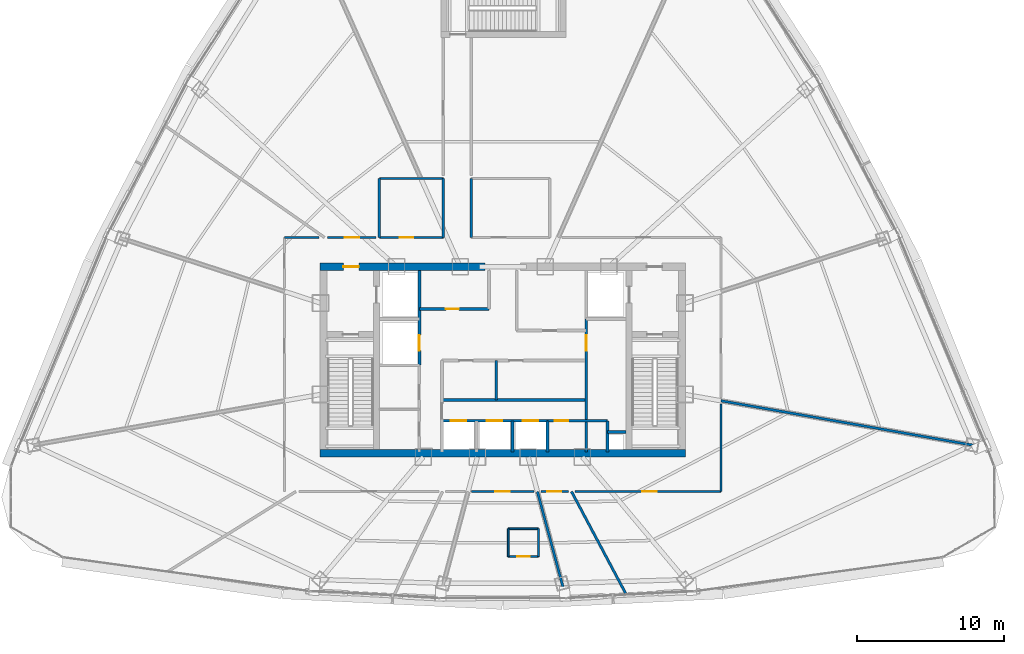
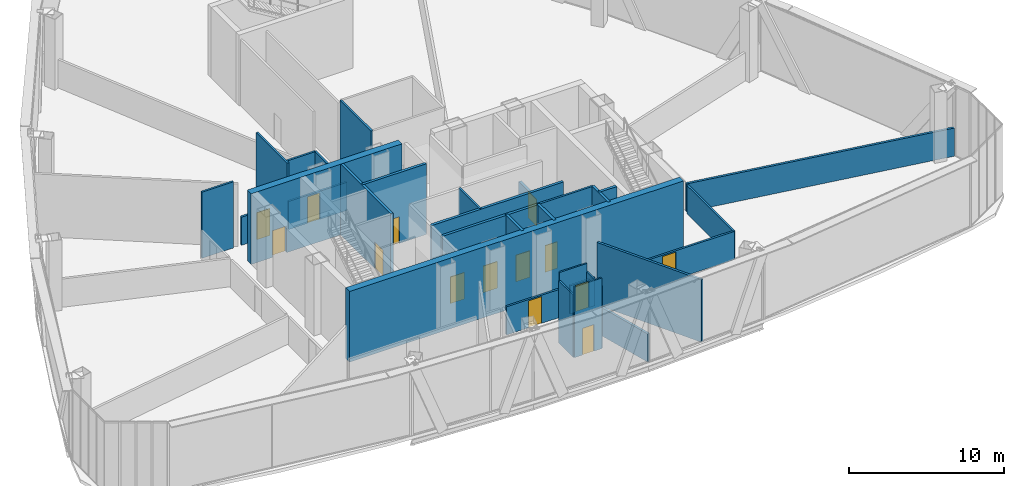
# One storey, part 32 of 38: 31 walls, 14 doors, 14 openings.
"""IFC4 building model written with IfcOpenShell, lengths in metres."""

from ifc_helpers import new_model, si_unit, direction, frame, frame_2d, origin, origin_with_axes, place, context, subcontext, project, spatial, rectangle, extrude, source, transform, mapped, material, layer, layer_set, type_object, element, fill, save


model = new_model("IFC4")

# Units and contexts
model_context = context("Model", 3, precision=1e-05, world=origin(), true_north=direction((0.0, 1.0)))
body_context = subcontext(model_context, "Body", "Model", "MODEL_VIEW")
ifc_project = project(units=[si_unit("LENGTHUNIT", "METRE"), si_unit("AREAUNIT", "SQUARE_METRE"), si_unit("VOLUMEUNIT", "CUBIC_METRE"), si_unit("PLANEANGLEUNIT", "RADIAN"), si_unit("MASSUNIT", "GRAM", prefix="KILO"), si_unit("THERMODYNAMICTEMPERATUREUNIT", "KELVIN"), si_unit("POWERUNIT", "WATT")], contexts=[model_context])

# Site, building, storey
site_placement = place(None, origin())
site = spatial("IfcSite", under=ifc_project, at=site_placement, CompositionType="ELEMENT")
building_placement = place(site_placement, origin())
building = spatial("IfcBuilding", under=site, at=building_placement, Name="Yunzhuo Pagoda Commons", CompositionType="ELEMENT")
storey_placement = place(building_placement, frame((0.0, 0.0, 266.909912109375)))
storey = spatial("IfcBuildingStorey", under=building, at=storey_placement, Name="L67", CompositionType="ELEMENT", Elevation=266.909912109375)

# Wall
ifc_material_1 = material(Name="Concrete C50", Category="concrete")
ifc_layer_1 = layer(ifc_material_1, 0.5)
ifc_layer_set_1 = layer_set([ifc_layer_1], Name="Concrete C50")
wall_type_1 = type_object("IfcWallType", Name="W-C03 Upper Core Shear Wall 500", PredefinedType="SHEAR", material=ifc_layer_set_1)
wall_1_placement = place(storey_placement, frame((35.550048828125, 27.5, 0.0), z_axis=(0.0, 0.0, 1.0), x_axis=(1.0, 0.0, 0.0)))
element("IfcWall", 1, at=wall_1_placement, inside=storey, type_object=wall_type_1, Name="L67 core shear wall S", PredefinedType="SHEAR", context=body_context, shape_type="SweptSolid", body=[
    extrude(rectangle(XDim=24.89990234375, YDim=0.5, at=frame_2d((12.449951171875, 0.0))), origin(), (0.0, 0.0, 1.0), 5.570068359375),
])

# Wall, opening, door
wall_2_placement = place(storey_placement, frame((35.550048828125, 40.199951171875, 0.0), z_axis=(0.0, 0.0, 1.0), x_axis=(1.0, 0.0, 0.0)))
wall_2 = element("IfcWall", 2, at=wall_2_placement, inside=storey, type_object=wall_type_1, Name="L67 core shear wall NW", PredefinedType="SHEAR", context=body_context, shape_type="SweptSolid", body=[
    extrude(rectangle(XDim=11.25, YDim=0.5, at=frame_2d((5.625, 0.0))), origin(), (0.0, 0.0, 1.0), 5.570068359375),
])
opening_1_placement = place(wall_2_placement, frame((1.60009765625, 0.0, 0.0)))
opening_1 = element("IfcOpeningElement", 3, at=opening_1_placement, cuts=wall_2, Name="Opening D-02", PredefinedType="OPENING", context=body_context, shape_type="SweptSolid", body=[
    extrude(rectangle(XDim=1.050048828125, YDim=2.10009765625, at=frame_2d((0.52490234375, 1.050048828125))), frame((0.0, 0.260009765625, 0.0), z_axis=(0.0, -1.0, 0.0), x_axis=(1.0, 0.0, 0.0)), (0.0, 0.0, 1.0), 0.52001953125),
])
ifc_material_2 = material(Name="Galvanized fire-resisting metal leaf")
door_type_1 = type_object("IfcDoorType", Name="D-02 Firefighting Lobby & Refuge Fire Door 1050x2100", OperationType="NOTDEFINED", PredefinedType="DOOR", material=ifc_material_2)
shared_shape_1 = source(origin(), body_context, "Body", "SweptSolid", [
    extrude(rectangle(XDim=1.050048828125, YDim=2.10009765625, at=frame_2d((0.52490234375, 1.050048828125))), frame((0.0, 0.02490234375, 0.0), z_axis=(0.0, -1.0, 0.0), x_axis=(1.0, 0.0, 0.0)), (0.0, 0.0, 1.0), 0.050048828125),
])
door_1_placement = place(opening_1_placement, frame((1.050048828125, 0.0, 0.0), z_axis=(0.0, 0.0, 1.0), x_axis=(-1.0, 0.0, 0.0)))
door_1 = element("IfcDoor", 4, at=door_1_placement, inside=storey, type_object=door_type_1, Name="L67 Firefighting Lobby 1 fire door", OperationType="SINGLE_SWING_LEFT", OverallHeight=2.10009765625, OverallWidth=1.050048828125, PredefinedType="DOOR", context=body_context, shape_type="MappedRepresentation", body=[
    mapped(shared_shape_1, transform((0.0, 0.0, 0.0), scale=1.0)),
])
fill(opening_1, door_1)

# Wall
ifc_material_3 = material(Name="Gypsum plasterboard on acoustic stud")
ifc_layer_2 = layer(ifc_material_3, 0.14990234375)
ifc_layer_set_2 = layer_set([ifc_layer_2], Name="Gypsum plasterboard on acoustic stud")
wall_type_2 = type_object("IfcWallType", Name="W-COR3 High-Zone Rated Corridor Wall 150", PredefinedType="PARTITIONING", material=ifc_layer_set_2)
wall_3_placement = place(storey_placement, frame((47.550048828125, 31.1201171875, 0.0), z_axis=(0.0, 0.0, 1.0), x_axis=(0.0, 1.0, 0.0)))
element("IfcWall", 5, at=wall_3_placement, inside=storey, type_object=wall_type_2, Name="L67 interior wall IW-L67-FRMD", PredefinedType="PARTITIONING", context=body_context, shape_type="SweptSolid", body=[
    extrude(rectangle(XDim=2.699951171875, YDim=0.14990234375, at=frame_2d((1.35009765625, 0.0))), origin(), (0.0, 0.0, 1.0), 5.570068359375),
])

# Wall, opening, door
wall_4_placement = place(storey_placement, frame((51.050048828125, 29.719970703125, 0.0), z_axis=(0.0, 0.0, 1.0), x_axis=(1.0, 0.0, 0.0)))
wall_4 = element("IfcWall", 6, at=wall_4_placement, inside=storey, type_object=wall_type_2, Name="L67 interior wall IW-L67-CSES", PredefinedType="PARTITIONING", context=body_context, shape_type="SweptSolid", body=[
    extrude(rectangle(XDim=4.070068359375, YDim=0.14990234375, at=frame_2d((2.03515625, 0.0))), origin(), (0.0, 0.0, 1.0), 5.570068359375),
])
opening_2_placement = place(wall_4_placement, frame((0.5, 0.0, 0.0)))
opening_2 = element("IfcOpeningElement", 7, at=opening_2_placement, cuts=wall_4, Name="Opening D-03", PredefinedType="OPENING", context=body_context, shape_type="SweptSolid", body=[
    extrude(rectangle(XDim=0.89990234375, YDim=2.10009765625, at=frame_2d((0.449951171875, 1.050048828125))), frame((0.0, 0.0849609375, 0.0), z_axis=(0.0, -1.0, 0.0), x_axis=(1.0, 0.0, 0.0)), (0.0, 0.0, 1.0), 0.169921875),
])
door_type_2 = type_object("IfcDoorType", Name="D-03 Core Service Fire Door 900x2100", OperationType="NOTDEFINED", PredefinedType="DOOR", material=ifc_material_2)
shared_shape_2 = source(origin(), body_context, "Body", "SweptSolid", [
    extrude(rectangle(XDim=0.89990234375, YDim=2.10009765625, at=frame_2d((0.449951171875, 1.050048828125))), frame((0.0, 0.02490234375, 0.0), z_axis=(0.0, -1.0, 0.0), x_axis=(1.0, 0.0, 0.0)), (0.0, 0.0, 1.0), 0.050048828125),
])
door_2_placement = place(opening_2_placement, origin_with_axes())
door_2 = element("IfcDoor", 8, at=door_2_placement, inside=storey, type_object=door_type_2, Name="L67 IT closet door", OperationType="SINGLE_SWING_LEFT", OverallHeight=2.10009765625, OverallWidth=0.89990234375, PredefinedType="DOOR", context=body_context, shape_type="MappedRepresentation", body=[
    mapped(shared_shape_2, transform((0.0, 0.0, 0.0), scale=1.0)),
])
fill(opening_2, door_2)

wall_5_placement = place(storey_placement, frame((39.60009765625, 42.199951171875, 0.0), z_axis=(0.0, 0.0, 1.0), x_axis=(1.0, 0.0, 0.0)))
wall_5 = element("IfcWall", 9, at=wall_5_placement, inside=storey, type_object=wall_type_2, Name="L67 interior wall IW-L67-TFWS", PredefinedType="PARTITIONING", context=body_context, shape_type="SweptSolid", body=[
    extrude(rectangle(XDim=4.349853515625, YDim=0.14990234375, at=frame_2d((2.1748046875, 0.0))), origin(), (0.0, 0.0, 1.0), 2.219970703125),
])
opening_3_placement = place(wall_5_placement, frame((1.39990234375, 0.0, 0.0)))
opening_3 = element("IfcOpeningElement", 10, at=opening_3_placement, cuts=wall_5, Name="Opening D-04", PredefinedType="OPENING", context=body_context, shape_type="SweptSolid", body=[
    extrude(rectangle(XDim=0.919921875, YDim=2.10009765625, at=frame_2d((0.4599609375, 1.050048828125))), frame((0.0, 0.0849609375, 0.0), z_axis=(0.0, -1.0, 0.0), x_axis=(1.0, 0.0, 0.0)), (0.0, 0.0, 1.0), 0.169921875),
])
ifc_material_4 = material(Name="Powder-coated aluminium and timber acoustic leaf", Category="wood")
door_type_3 = type_object("IfcDoorType", Name="D-04 Bedroom & Study Interior Door 920x2100", OperationType="NOTDEFINED", PredefinedType="DOOR", material=ifc_material_4)
shared_shape_3 = source(origin(), body_context, "Body", "SweptSolid", [
    extrude(rectangle(XDim=0.919921875, YDim=2.10009765625, at=frame_2d((0.4599609375, 1.050048828125))), frame((0.0, 0.02490234375, 0.0), z_axis=(0.0, -1.0, 0.0), x_axis=(1.0, 0.0, 0.0)), (0.0, 0.0, 1.0), 0.050048828125),
])
door_3_placement = place(opening_3_placement, frame((0.919921875, 0.0, 0.0), z_axis=(0.0, 0.0, 1.0), x_axis=(-1.0, 0.0, 0.0)))
door_3 = element("IfcDoor", 11, at=door_3_placement, inside=storey, type_object=door_type_3, Name="L67 laundry door", OperationType="SINGLE_SWING_LEFT", OverallHeight=2.10009765625, OverallWidth=0.919921875, PredefinedType="DOOR", context=body_context, shape_type="MappedRepresentation", body=[
    mapped(shared_shape_3, transform((0.0, 0.0, 0.0), scale=1.0)),
])
fill(opening_3, door_3)

# Walls
wall_6_placement = place(storey_placement, frame((39.60009765625, 46.199951171875, 0.0), z_axis=(0.0, 0.0, 1.0), x_axis=(1.0, 0.0, 0.0)))
element("IfcWall", 12, at=wall_6_placement, inside=storey, type_object=wall_type_2, Name="L67 interior wall IW-L67-TFWN", PredefinedType="PARTITIONING", context=body_context, shape_type="SweptSolid", body=[
    extrude(rectangle(XDim=4.349853515625, YDim=0.14990234375, at=frame_2d((2.1748046875, 0.0))), origin(), (0.0, 0.0, 1.0), 2.219970703125),
])
wall_7_placement = place(storey_placement, frame((39.60009765625, 42.199951171875, 0.0), z_axis=(0.0, 0.0, 1.0), x_axis=(0.0, 1.0, 0.0)))
element("IfcWall", 13, at=wall_7_placement, inside=storey, type_object=wall_type_2, Name="L67 interior wall IW-L67-TFWW", PredefinedType="PARTITIONING", context=body_context, shape_type="SweptSolid", body=[
    extrude(rectangle(XDim=4.0, YDim=0.14990234375, at=frame_2d((2.0, 0.0))), origin(), (0.0, 0.0, 1.0), 5.219970703125),
])
wall_8_placement = place(storey_placement, frame((43.949951171875, 42.199951171875, 0.0), z_axis=(0.0, 0.0, 1.0), x_axis=(0.0, 1.0, 0.0)))
element("IfcWall", 14, at=wall_8_placement, inside=storey, type_object=wall_type_2, Name="L67 interior wall IW-L67-TFWE", PredefinedType="PARTITIONING", context=body_context, shape_type="SweptSolid", body=[
    extrude(rectangle(XDim=4.0, YDim=0.14990234375, at=frame_2d((2.0, 0.0))), origin(), (0.0, 0.0, 1.0), 2.219970703125),
])
wall_9_placement = place(storey_placement, frame((45.85009765625, 42.199951171875, 0.0), z_axis=(0.0, 0.0, 1.0), x_axis=(0.0, 1.0, 0.0)))
element("IfcWall", 15, at=wall_9_placement, inside=storey, type_object=wall_type_2, Name="L67 interior wall IW-L67-TFEW", PredefinedType="PARTITIONING", context=body_context, shape_type="SweptSolid", body=[
    extrude(rectangle(XDim=4.0, YDim=0.14990234375, at=frame_2d((2.0, 0.0))), origin(), (0.0, 0.0, 1.0), 5.570068359375),
])
wall_10_placement = place(storey_placement, frame((33.14990234375, 42.199951171875, 0.0), z_axis=(0.0, 0.0, 1.0), x_axis=(1.0, 0.0, 0.0)))
element("IfcWall", 16, at=wall_10_placement, inside=storey, type_object=wall_type_2, Name="L67 interior wall IW-L67-CWL04", PredefinedType="PARTITIONING", context=body_context, shape_type="SweptSolid", body=[
    extrude(rectangle(XDim=2.3271484375, YDim=0.14990234375, at=frame_2d((1.16357421875, 0.0))), origin(), (0.0, 0.0, 1.0), 5.219970703125),
])

# Wall, opening, door
wall_11_placement = place(storey_placement, frame((36.08056640625, 42.199951171875, 0.0), z_axis=(0.0, 0.0, 1.0), x_axis=(1.0, 0.0, 0.0)))
wall_11 = element("IfcWall", 17, at=wall_11_placement, inside=storey, type_object=wall_type_2, Name="L67 interior wall IW-L67-CWL05", PredefinedType="PARTITIONING", context=body_context, shape_type="SweptSolid", body=[
    extrude(rectangle(XDim=3.29931640625, YDim=0.14990234375, at=frame_2d((1.649658203125, 0.0))), origin(), (0.0, 0.0, 1.0), 2.219970703125),
])
opening_4_placement = place(wall_11_placement, frame((1.1748046875, 0.0, 0.0)))
opening_4 = element("IfcOpeningElement", 18, at=opening_4_placement, cuts=wall_11, Name="Opening D-08", PredefinedType="OPENING", context=body_context, shape_type="SweptSolid", body=[
    extrude(rectangle(XDim=0.97998046875, YDim=2.1201171875, at=frame_2d((0.489990234375, 1.06005859375))), frame((0.0, 0.0849609375, 0.0), z_axis=(0.0, -1.0, 0.0), x_axis=(1.0, 0.0, 0.0)), (0.0, 0.0, 1.0), 0.169921875),
])
door_type_4 = type_object("IfcDoorType", Name="D-08 High-Zone Suite Entrance Fire Door 980x2120", OperationType="NOTDEFINED", PredefinedType="DOOR", material=ifc_material_2)
shared_shape_4 = source(origin(), body_context, "Body", "SweptSolid", [
    extrude(rectangle(XDim=0.97998046875, YDim=2.1201171875, at=frame_2d((0.489990234375, 1.06005859375))), frame((0.0, 0.02490234375, 0.0), z_axis=(0.0, -1.0, 0.0), x_axis=(1.0, 0.0, 0.0)), (0.0, 0.0, 1.0), 0.050048828125),
])
door_4_placement = place(opening_4_placement, origin_with_axes())
door_4 = element("IfcDoor", 19, at=door_4_placement, inside=storey, type_object=door_type_4, Name="L67 Resident Co-Living Commons Hall door", OperationType="SINGLE_SWING_LEFT", OverallHeight=2.1201171875, OverallWidth=0.97998046875, PredefinedType="DOOR", context=body_context, shape_type="MappedRepresentation", body=[
    mapped(shared_shape_4, transform((0.0, 0.0, 0.0), scale=1.0)),
])
fill(opening_4, door_4)

# Wall
wall_12_placement = place(storey_placement, frame((62.85009765625, 30.858154296875, 0.0), z_axis=(0.0, 0.0, 1.0), x_axis=(0.0, -1.0, 0.0)))
element("IfcWall", 20, at=wall_12_placement, inside=storey, type_object=wall_type_2, Name="L67 interior wall IW-L67-CWL11", PredefinedType="PARTITIONING", context=body_context, shape_type="SweptSolid", body=[
    extrude(rectangle(XDim=5.958251953125, YDim=0.14990234375, at=frame_2d((2.97900390625, 0.0))), origin(), (0.0, 0.0, 1.0), 2.219970703125),
])

# Wall, opening, door
wall_13_placement = place(storey_placement, frame((62.85009765625, 24.89990234375, 0.0), z_axis=(0.0, 0.0, 1.0), x_axis=(-1.0, 0.0, 0.0)))
wall_13 = element("IfcWall", 21, at=wall_13_placement, inside=storey, type_object=wall_type_2, Name="L67 interior wall IW-L67-CWL12", PredefinedType="PARTITIONING", context=body_context, shape_type="SweptSolid", body=[
    extrude(rectangle(XDim=9.921875, YDim=0.14990234375, at=frame_2d((4.9609375, 0.0))), origin(), (0.0, 0.0, 1.0), 2.219970703125),
])
opening_5_placement = place(wall_13_placement, frame((4.380615234375, 0.0, 0.0)))
opening_5 = element("IfcOpeningElement", 22, at=opening_5_placement, cuts=wall_13, Name="Opening D-08", PredefinedType="OPENING", context=body_context, shape_type="SweptSolid", body=[
    extrude(rectangle(XDim=0.97998046875, YDim=2.1201171875, at=frame_2d((0.489990234375, 1.06005859375))), frame((0.0, 0.0849609375, 0.0), z_axis=(0.0, -1.0, 0.0), x_axis=(1.0, 0.0, 0.0)), (0.0, 0.0, 1.0), 0.169921875),
])
door_5_placement = place(opening_5_placement, origin_with_axes())
door_5 = element("IfcDoor", 23, at=door_5_placement, inside=storey, type_object=door_type_4, Name="L67 Academic Reading Commons 3 door", OperationType="SINGLE_SWING_LEFT", OverallHeight=2.1201171875, OverallWidth=0.97998046875, PredefinedType="DOOR", context=body_context, shape_type="MappedRepresentation", body=[
    mapped(shared_shape_4, transform((0.0, 0.0, 0.0), scale=1.0)),
])
fill(opening_5, door_5)

wall_14_placement = place(storey_placement, frame((52.458984375, 24.89990234375, 0.0), z_axis=(0.0, 0.0, 1.0), x_axis=(-1.0, 0.0, 0.0)))
wall_14 = element("IfcWall", 24, at=wall_14_placement, inside=storey, type_object=wall_type_2, Name="L67 interior wall IW-L67-CWL13", PredefinedType="PARTITIONING", context=body_context, shape_type="SweptSolid", body=[
    extrude(rectangle(XDim=1.873291015625, YDim=0.14990234375, at=frame_2d((0.9365234375, 0.0))), origin(), (0.0, 0.0, 1.0), 2.219970703125),
])
opening_6_placement = place(wall_14_placement, frame((0.465576171875, 0.0, 0.0)))
opening_6 = element("IfcOpeningElement", 25, at=opening_6_placement, cuts=wall_14, Name="Opening D-08", PredefinedType="OPENING", context=body_context, shape_type="SweptSolid", body=[
    extrude(rectangle(XDim=0.97998046875, YDim=2.1201171875, at=frame_2d((0.489990234375, 1.06005859375))), frame((0.0, 0.0849609375, 0.0), z_axis=(0.0, -1.0, 0.0), x_axis=(1.0, 0.0, 0.0)), (0.0, 0.0, 1.0), 0.169921875),
])
door_6_placement = place(opening_6_placement, origin_with_axes())
door_6 = element("IfcDoor", 26, at=door_6_placement, inside=storey, type_object=door_type_4, Name="L67 unit 11 entrance door", OperationType="SINGLE_SWING_RIGHT", OverallHeight=2.1201171875, OverallWidth=0.97998046875, PredefinedType="DOOR", context=body_context, shape_type="MappedRepresentation", body=[
    mapped(shared_shape_4, transform((0.0, 0.0, 0.0), scale=1.0)),
])
fill(opening_6, door_6)

wall_15_placement = place(storey_placement, frame((50.13818359375, 24.89990234375, 0.0), z_axis=(0.0, 0.0, 1.0), x_axis=(-1.0, 0.0, 0.0)))
wall_15 = element("IfcWall", 27, at=wall_15_placement, inside=storey, type_object=wall_type_2, Name="L67 interior wall IW-L67-CWL14", PredefinedType="PARTITIONING", context=body_context, shape_type="SweptSolid", body=[
    extrude(rectangle(XDim=4.2763671875, YDim=0.14990234375, at=frame_2d((2.13818359375, 0.0))), origin(), (0.0, 0.0, 1.0), 2.219970703125),
])
opening_7_placement = place(wall_15_placement, frame((1.6630859375, 0.0, 0.0)))
opening_7 = element("IfcOpeningElement", 28, at=opening_7_placement, cuts=wall_15, Name="Opening D-08", PredefinedType="OPENING", context=body_context, shape_type="SweptSolid", body=[
    extrude(rectangle(XDim=0.97998046875, YDim=2.1201171875, at=frame_2d((0.489990234375, 1.06005859375))), frame((0.0, 0.0849609375, 0.0), z_axis=(0.0, -1.0, 0.0), x_axis=(1.0, 0.0, 0.0)), (0.0, 0.0, 1.0), 0.169921875),
])
door_7_placement = place(opening_7_placement, origin_with_axes())
door_7 = element("IfcDoor", 29, at=door_7_placement, inside=storey, type_object=door_type_4, Name="L67 unit 10 entrance door", OperationType="SINGLE_SWING_LEFT", OverallHeight=2.1201171875, OverallWidth=0.97998046875, PredefinedType="DOOR", context=body_context, shape_type="MappedRepresentation", body=[
    mapped(shared_shape_4, transform((0.0, 0.0, 0.0), scale=1.0)),
])
fill(opening_7, door_7)

ifc_layer_3 = layer(ifc_material_3, 0.1201171875)
ifc_layer_set_3 = layer_set([ifc_layer_3], Name="Gypsum plasterboard on acoustic stud")
wall_type_3 = type_object("IfcWallType", Name="W-PRT1 Suite & Bathroom Partition 120", PredefinedType="PARTITIONING", material=ifc_layer_set_3)
wall_16_placement = place(storey_placement, frame((48.3740234375, 20.47900390625, 0.0), z_axis=(0.0, 0.0, 1.0), x_axis=(1.0, 0.0, 0.0)))
wall_16 = element("IfcWall", 30, at=wall_16_placement, inside=storey, type_object=wall_type_3, Name="L67 interior wall IW-L67-B10S", PredefinedType="PARTITIONING", context=body_context, shape_type="SweptSolid", body=[
    extrude(rectangle(XDim=2.050048828125, YDim=0.1201171875, at=frame_2d((1.02490234375, 0.0))), origin(), (0.0, 0.0, 1.0), 5.570068359375),
])
opening_8_placement = place(wall_16_placement, frame((0.60009765625, 0.0, 0.0)))
opening_8 = element("IfcOpeningElement", 31, at=opening_8_placement, cuts=wall_16, Name="Opening D-05", PredefinedType="OPENING", context=body_context, shape_type="SweptSolid", body=[
    extrude(rectangle(XDim=0.85009765625, YDim=2.10009765625, at=frame_2d((0.425048828125, 1.050048828125))), frame((0.0, 0.070068359375, 0.0), z_axis=(0.0, -1.0, 0.0), x_axis=(1.0, 0.0, 0.0)), (0.0, 0.0, 1.0), 0.14013671875),
])
door_type_5 = type_object("IfcDoorType", Name="D-05 En-Suite Bathroom Door 850x2100", OperationType="NOTDEFINED", PredefinedType="DOOR", material=ifc_material_4)
shared_shape_5 = source(origin(), body_context, "Body", "SweptSolid", [
    extrude(rectangle(XDim=0.85009765625, YDim=2.10009765625, at=frame_2d((0.425048828125, 1.050048828125))), frame((0.0, 0.02490234375, 0.0), z_axis=(0.0, -1.0, 0.0), x_axis=(1.0, 0.0, 0.0)), (0.0, 0.0, 1.0), 0.050048828125),
])
door_8_placement = place(opening_8_placement, frame((0.85009765625, 0.0, 0.0), z_axis=(0.0, 0.0, 1.0), x_axis=(-1.0, 0.0, 0.0)))
door_8 = element("IfcDoor", 32, at=door_8_placement, inside=storey, type_object=door_type_5, Name="L67 unit 10 bathroom door", OperationType="SINGLE_SWING_LEFT", OverallHeight=2.10009765625, OverallWidth=0.85009765625, PredefinedType="DOOR", context=body_context, shape_type="MappedRepresentation", body=[
    mapped(shared_shape_5, transform((0.0, 0.0, 0.0), scale=1.0)),
])
fill(opening_8, door_8)

# Walls
wall_17_placement = place(storey_placement, frame((50.424072265625, 20.47900390625, 0.0), z_axis=(0.0, 0.0, 1.0), x_axis=(0.0, 1.0, 0.0)))
element("IfcWall", 33, at=wall_17_placement, inside=storey, type_object=wall_type_3, Name="L67 interior wall IW-L67-B10E", PredefinedType="PARTITIONING", context=body_context, shape_type="SweptSolid", body=[
    extrude(rectangle(XDim=1.89990234375, YDim=0.1201171875, at=frame_2d((0.949951171875, 0.0))), origin(), (0.0, 0.0, 1.0), 4.920166015625),
])
wall_18_placement = place(storey_placement, frame((50.424072265625, 22.37890625, 0.0), z_axis=(0.0, 0.0, 1.0), x_axis=(-1.0, 0.0, 0.0)))
element("IfcWall", 34, at=wall_18_placement, inside=storey, type_object=wall_type_3, Name="L67 interior wall IW-L67-B10N", PredefinedType="PARTITIONING", context=body_context, shape_type="SweptSolid", body=[
    extrude(rectangle(XDim=2.050048828125, YDim=0.1201171875, at=frame_2d((1.02490234375, 0.0))), origin(), (0.0, 0.0, 1.0), 5.570068359375),
])
wall_19_placement = place(storey_placement, frame((48.3740234375, 22.37890625, 0.0), z_axis=(0.0, 0.0, 1.0), x_axis=(0.0, -1.0, 0.0)))
element("IfcWall", 35, at=wall_19_placement, inside=storey, type_object=wall_type_3, Name="L67 interior wall IW-L67-B10W", PredefinedType="PARTITIONING", context=body_context, shape_type="SweptSolid", body=[
    extrude(rectangle(XDim=1.89990234375, YDim=0.1201171875, at=frame_2d((0.949951171875, 0.0))), origin(), (0.0, 0.0, 1.0), 4.920166015625),
])
ifc_layer_4 = layer(ifc_material_3, 0.169921875)
ifc_layer_set_4 = layer_set([ifc_layer_4], Name="Gypsum plasterboard on acoustic stud")
wall_type_4 = type_object("IfcWallType", Name="W-PRT4 High-Zone Demising Wall 170", PredefinedType="PARTITIONING", material=ifc_layer_set_4)
wall_20_placement = place(storey_placement, frame((50.35791015625, 24.89990234375, 0.0), z_axis=(0.0, 0.0, 1.0), x_axis=(0.258810769147, -0.965928043787, 0.0)))
element("IfcWall", 36, at=wall_20_placement, inside=storey, type_object=wall_type_4, Name="L67 interior wall IW-L67-RAD10", PredefinedType="PARTITIONING", context=body_context, shape_type="SweptSolid", body=[
    extrude(rectangle(XDim=7.516357421875, YDim=0.169921875, at=frame_2d((3.75830078125, 0.0))), origin(), (0.0, 0.0, 1.0), 2.219970703125),
])
wall_21_placement = place(storey_placement, frame((52.678955078125, 24.89990234375, 0.0), z_axis=(0.0, 0.0, 1.0), x_axis=(0.469475347358, -0.882945580556, 0.0)))
element("IfcWall", 37, at=wall_21_placement, inside=storey, type_object=wall_type_4, Name="L67 interior wall IW-L67-RAD11", PredefinedType="PARTITIONING", context=body_context, shape_type="SweptSolid", body=[
    extrude(rectangle(XDim=7.97314453125, YDim=0.169921875, at=frame_2d((3.986572265625, 0.0))), origin(), (0.0, 0.0, 1.0), 4.920166015625),
])
wall_22_placement = place(storey_placement, frame((62.85009765625, 31.08154296875, 0.0), z_axis=(0.0, 0.0, 1.0), x_axis=(0.984806394916, -0.173655879639, 0.0)))
element("IfcWall", 38, at=wall_22_placement, inside=storey, type_object=wall_type_4, Name="L67 interior wall IW-L67-RAD12", PredefinedType="PARTITIONING", context=body_context, shape_type="SweptSolid", body=[
    extrude(rectangle(XDim=18.3974609375, YDim=0.169921875, at=frame_2d((9.19873046875, 0.0))), origin(), (0.0, 0.0, 1.0), 2.219970703125),
])

# Wall, opening, door
ifc_material_5 = material(Name="Concrete C40", Category="concrete")
ifc_layer_5 = layer(ifc_material_5, 0.199951171875)
ifc_layer_set_5 = layer_set([ifc_layer_5], Name="Concrete C40")
wall_type_5 = type_object("IfcWallType", Name="W-SHF Shaft & Stair Enclosure Wall 200", PredefinedType="SOLIDWALL", material=ifc_layer_set_5)
wall_23_placement = place(storey_placement, frame((42.320068359375, 33.5, 0.0), z_axis=(0.0, 0.0, 1.0), x_axis=(0.0, 1.0, 0.0)))
wall_23 = element("IfcWall", 39, at=wall_23_placement, inside=storey, type_object=wall_type_5, Name="L67 interior wall IW-L67-FL1E", PredefinedType="SOLIDWALL", context=body_context, shape_type="SweptSolid", body=[
    extrude(rectangle(XDim=6.449951171875, YDim=0.199951171875, at=frame_2d((3.22509765625, 0.0))), origin(), (0.0, 0.0, 1.0), 5.570068359375),
])
opening_9_placement = place(wall_23_placement, frame((1.0, 0.0, 0.0)))
opening_9 = element("IfcOpeningElement", 40, at=opening_9_placement, cuts=wall_23, Name="Opening LD-02", PredefinedType="OPENING", context=body_context, shape_type="SweptSolid", body=[
    extrude(rectangle(XDim=1.050048828125, YDim=2.10009765625, at=frame_2d((0.52490234375, 1.050048828125))), frame((0.0, 0.10986328125, 0.0), z_axis=(0.0, -1.0, 0.0), x_axis=(1.0, 0.0, 0.0)), (0.0, 0.0, 1.0), 0.219970703125),
])
door_type_6 = type_object("IfcDoorType", Name="LD-02 Passenger Lift Landing Door 1050x2100", OperationType="DOUBLE_DOOR_SLIDING", PredefinedType="DOOR", material=ifc_material_2)
door_9_placement = place(opening_9_placement, origin_with_axes())
door_9 = element("IfcDoor", 41, at=door_9_placement, inside=storey, type_object=door_type_6, Name="L67 Service lift SL-1 landing door", OperationType="DOUBLE_DOOR_SLIDING", OverallHeight=2.10009765625, OverallWidth=1.050048828125, PredefinedType="DOOR", context=body_context, shape_type="MappedRepresentation", body=[
    mapped(shared_shape_1, transform((0.0, 0.0, 0.0), scale=1.0)),
])
fill(opening_9, door_9)

wall_24_placement = place(storey_placement, frame((42.320068359375, 37.320068359375, 0.0), z_axis=(0.0, 0.0, 1.0), x_axis=(1.0, 0.0, 0.0)))
wall_24 = element("IfcWall", 42, at=wall_24_placement, inside=storey, type_object=wall_type_5, Name="L67 interior wall IW-L67-LBNW", PredefinedType="SOLIDWALL", context=body_context, shape_type="SweptSolid", body=[
    extrude(rectangle(XDim=4.72998046875, YDim=0.199951171875, at=frame_2d((2.364990234375, 0.0))), origin(), (0.0, 0.0, 1.0), 5.570068359375),
])
opening_10_placement = place(wall_24_placement, frame((1.800048828125, 0.0, 0.0)))
opening_10 = element("IfcOpeningElement", 43, at=opening_10_placement, cuts=wall_24, Name="Opening D-03", PredefinedType="OPENING", context=body_context, shape_type="SweptSolid", body=[
    extrude(rectangle(XDim=0.89990234375, YDim=2.10009765625, at=frame_2d((0.449951171875, 1.050048828125))), frame((0.0, 0.10986328125, 0.0), z_axis=(0.0, -1.0, 0.0), x_axis=(1.0, 0.0, 0.0)), (0.0, 0.0, 1.0), 0.219970703125),
])
door_10_placement = place(opening_10_placement, frame((0.89990234375, 0.0, 0.0), z_axis=(0.0, 0.0, 1.0), x_axis=(-1.0, 0.0, 0.0)))
door_10 = element("IfcDoor", 44, at=door_10_placement, inside=storey, type_object=door_type_2, Name="L67 core west store door", OperationType="SINGLE_SWING_LEFT", OverallHeight=2.10009765625, OverallWidth=0.89990234375, PredefinedType="DOOR", context=body_context, shape_type="MappedRepresentation", body=[
    mapped(shared_shape_2, transform((0.0, 0.0, 0.0), scale=1.0)),
])
fill(opening_10, door_10)

wall_25_placement = place(storey_placement, frame((53.679931640625, 27.60009765625, 0.0), z_axis=(0.0, 0.0, 1.0), x_axis=(0.0, 1.0, 0.0)))
wall_25 = element("IfcWall", 45, at=wall_25_placement, inside=storey, type_object=wall_type_5, Name="L67 interior wall IW-L67-PLME", PredefinedType="SOLIDWALL", context=body_context, shape_type="SweptSolid", body=[
    extrude(rectangle(XDim=9.0498046875, YDim=0.199951171875, at=frame_2d((4.52490234375, 0.0))), origin(), (0.0, 0.0, 1.0), 2.219970703125),
])
opening_11_placement = place(wall_25_placement, frame((6.89990234375, 0.0, 0.0)))
opening_11 = element("IfcOpeningElement", 46, at=opening_11_placement, cuts=wall_25, Name="Opening D-02", PredefinedType="OPENING", context=body_context, shape_type="SweptSolid", body=[
    extrude(rectangle(XDim=1.050048828125, YDim=2.10009765625, at=frame_2d((0.52490234375, 1.050048828125))), frame((0.0, 0.10986328125, 0.0), z_axis=(0.0, -1.0, 0.0), x_axis=(1.0, 0.0, 0.0)), (0.0, 0.0, 1.0), 0.219970703125),
])
door_11_placement = place(opening_11_placement, origin_with_axes())
door_11 = element("IfcDoor", 47, at=door_11_placement, inside=storey, type_object=door_type_1, Name="L67 High-bank lift hall door", OperationType="SINGLE_SWING_RIGHT", OverallHeight=2.10009765625, OverallWidth=1.050048828125, PredefinedType="DOOR", context=body_context, shape_type="MappedRepresentation", body=[
    mapped(shared_shape_1, transform((0.0, 0.0, 0.0), scale=1.0)),
])
fill(opening_11, door_11)

# Wall, openings, doors
wall_26_placement = place(storey_placement, frame((43.85009765625, 29.719970703125, 0.0), z_axis=(0.0, 0.0, 1.0), x_axis=(1.0, 0.0, 0.0)))
wall_26 = element("IfcWall", 48, at=wall_26_placement, inside=storey, type_object=wall_type_5, Name="L67 interior wall IW-L67-PLHN", PredefinedType="SOLIDWALL", context=body_context, shape_type="SweptSolid", body=[
    extrude(rectangle(XDim=7.199951171875, YDim=0.199951171875, at=frame_2d((3.60009765625, 0.0))), origin(), (0.0, 0.0, 1.0), 5.570068359375),
])
opening_12_placement = place(wall_26_placement, frame((0.625, 0.0, 0.0)))
opening_12 = element("IfcOpeningElement", 49, at=opening_12_placement, cuts=wall_26, Name="Opening LD-02", PredefinedType="OPENING", context=body_context, shape_type="SweptSolid", body=[
    extrude(rectangle(XDim=1.050048828125, YDim=2.10009765625, at=frame_2d((0.52490234375, 1.050048828125))), frame((0.0, 0.10986328125, 0.0), z_axis=(0.0, -1.0, 0.0), x_axis=(1.0, 0.0, 0.0)), (0.0, 0.0, 1.0), 0.219970703125),
])
opening_13_placement = place(wall_26_placement, frame((3.074951171875, 0.0, 0.0)))
opening_13 = element("IfcOpeningElement", 50, at=opening_13_placement, cuts=wall_26, Name="Opening LD-02", PredefinedType="OPENING", context=body_context, shape_type="SweptSolid", body=[
    extrude(rectangle(XDim=1.050048828125, YDim=2.10009765625, at=frame_2d((0.52490234375, 1.050048828125))), frame((0.0, 0.10986328125, 0.0), z_axis=(0.0, -1.0, 0.0), x_axis=(1.0, 0.0, 0.0)), (0.0, 0.0, 1.0), 0.219970703125),
])
opening_14_placement = place(wall_26_placement, frame((5.52490234375, 0.0, 0.0)))
opening_14 = element("IfcOpeningElement", 51, at=opening_14_placement, cuts=wall_26, Name="Opening LD-02", PredefinedType="OPENING", context=body_context, shape_type="SweptSolid", body=[
    extrude(rectangle(XDim=1.050048828125, YDim=2.10009765625, at=frame_2d((0.52490234375, 1.050048828125))), frame((0.0, 0.10986328125, 0.0), z_axis=(0.0, -1.0, 0.0), x_axis=(1.0, 0.0, 0.0)), (0.0, 0.0, 1.0), 0.219970703125),
])
door_12_placement = place(opening_12_placement, origin_with_axes())
door_12 = element("IfcDoor", 52, at=door_12_placement, inside=storey, type_object=door_type_6, Name="L67 Passenger lift PL-H1 landing door", OperationType="DOUBLE_DOOR_SLIDING", OverallHeight=2.10009765625, OverallWidth=1.050048828125, PredefinedType="DOOR", context=body_context, shape_type="MappedRepresentation", body=[
    mapped(shared_shape_1, transform((0.0, 0.0, 0.0), scale=1.0)),
])
fill(opening_12, door_12)
door_13_placement = place(opening_13_placement, origin_with_axes())
door_13 = element("IfcDoor", 53, at=door_13_placement, inside=storey, type_object=door_type_6, Name="L67 Passenger lift PL-H2 landing door", OperationType="DOUBLE_DOOR_SLIDING", OverallHeight=2.10009765625, OverallWidth=1.050048828125, PredefinedType="DOOR", context=body_context, shape_type="MappedRepresentation", body=[
    mapped(shared_shape_1, transform((0.0, 0.0, 0.0), scale=1.0)),
])
fill(opening_13, door_13)
door_14_placement = place(opening_14_placement, origin_with_axes())
door_14 = element("IfcDoor", 54, at=door_14_placement, inside=storey, type_object=door_type_6, Name="L67 Passenger lift PL-H3 landing door", OperationType="DOUBLE_DOOR_SLIDING", OverallHeight=2.10009765625, OverallWidth=1.050048828125, PredefinedType="DOOR", context=body_context, shape_type="MappedRepresentation", body=[
    mapped(shared_shape_1, transform((0.0, 0.0, 0.0), scale=1.0)),
])
fill(opening_14, door_14)

# Walls
wall_27_placement = place(storey_placement, frame((51.050048828125, 27.60009765625, 0.0), z_axis=(0.0, 0.0, 1.0), x_axis=(0.0, 1.0, 0.0)))
element("IfcWall", 55, at=wall_27_placement, inside=storey, type_object=wall_type_5, Name="L67 interior wall IW-L67-PLHE", PredefinedType="SOLIDWALL", context=body_context, shape_type="SweptSolid", body=[
    extrude(rectangle(XDim=2.119873046875, YDim=0.199951171875, at=frame_2d((1.06005859375, 0.0))), origin(), (0.0, 0.0, 1.0), 5.570068359375),
])
wall_28_placement = place(storey_placement, frame((43.85009765625, 31.1201171875, 0.0), z_axis=(0.0, 0.0, 1.0), x_axis=(1.0, 0.0, 0.0)))
element("IfcWall", 56, at=wall_28_placement, inside=storey, type_object=wall_type_5, Name="L67 interior wall IW-L67-PLMS2", PredefinedType="SOLIDWALL", context=body_context, shape_type="SweptSolid", body=[
    extrude(rectangle(XDim=9.829833984375, YDim=0.199951171875, at=frame_2d((4.9150390625, 0.0))), origin(), (0.0, 0.0, 1.0), 5.570068359375),
])
for number, where, z_axis, x_axis, name in (
    (57, (48.675048828125, 27.60009765625, 0.0), (0.0, 0.0, 1.0), (0.0, 1.0, 0.0), "L67 interior wall IW-L67-PLHD2"),
    (58, (55.1201171875, 27.60009765625, 0.0), (0.0, 0.0, 1.0), (0.0, 1.0, 0.0), "L67 interior wall IW-L67-RSHFW"),
):
    element("IfcWall", number, at=place(storey_placement, frame(where, z_axis=z_axis, x_axis=x_axis)), inside=storey, type_object=wall_type_5, Name=name, PredefinedType="SOLIDWALL", context=body_context, shape_type="SweptSolid", body=[
        extrude(rectangle(XDim=2.119873046875, YDim=0.199951171875, at=frame_2d((1.06005859375, 0.0))), origin(), (0.0, 0.0, 1.0), 5.570068359375),
    ])
wall_29_placement = place(storey_placement, frame((55.1201171875, 28.949951171875, 0.0), z_axis=(0.0, 0.0, 1.0), x_axis=(1.0, 0.0, 0.0)))
element("IfcWall", 59, at=wall_29_placement, inside=storey, type_object=wall_type_5, Name="L67 interior wall IW-L67-RSHFN", PredefinedType="SOLIDWALL", context=body_context, shape_type="SweptSolid", body=[
    extrude(rectangle(XDim=1.27978515625, YDim=0.199951171875, at=frame_2d((0.639892578125, 0.0))), origin(), (0.0, 0.0, 1.0), 5.570068359375),
])

save(model, "model.ifc")
